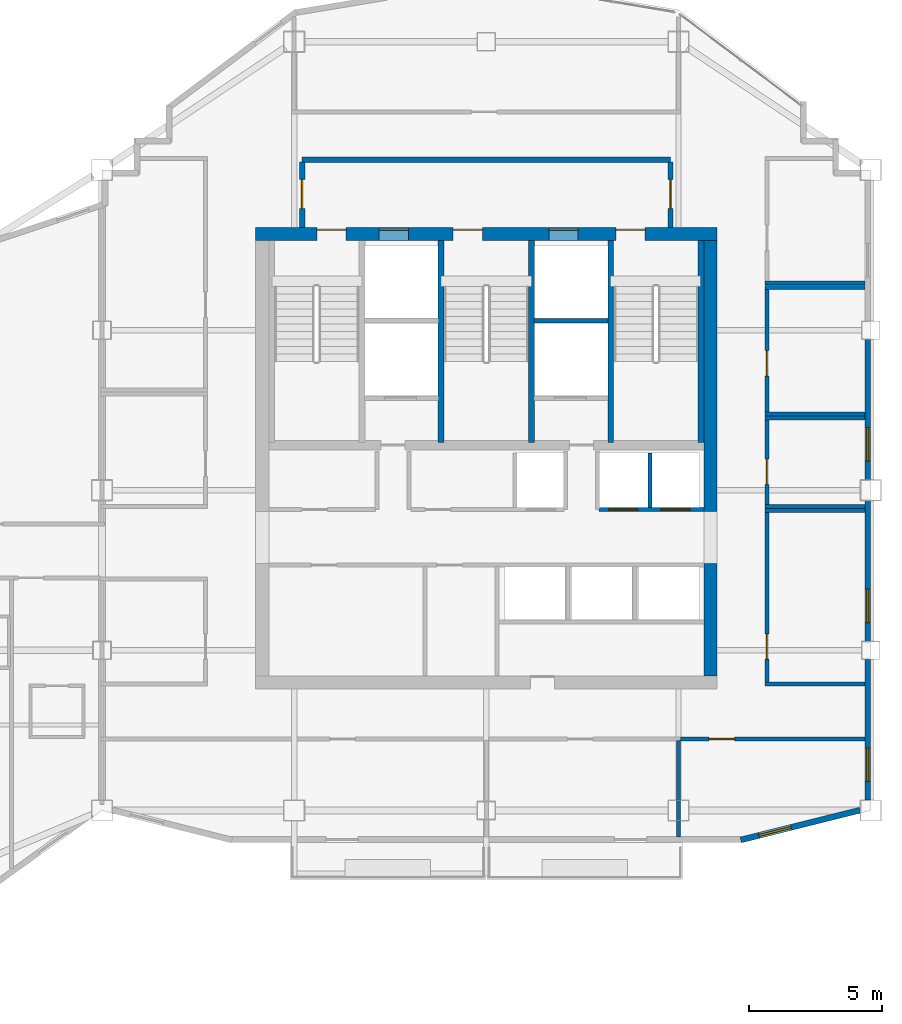
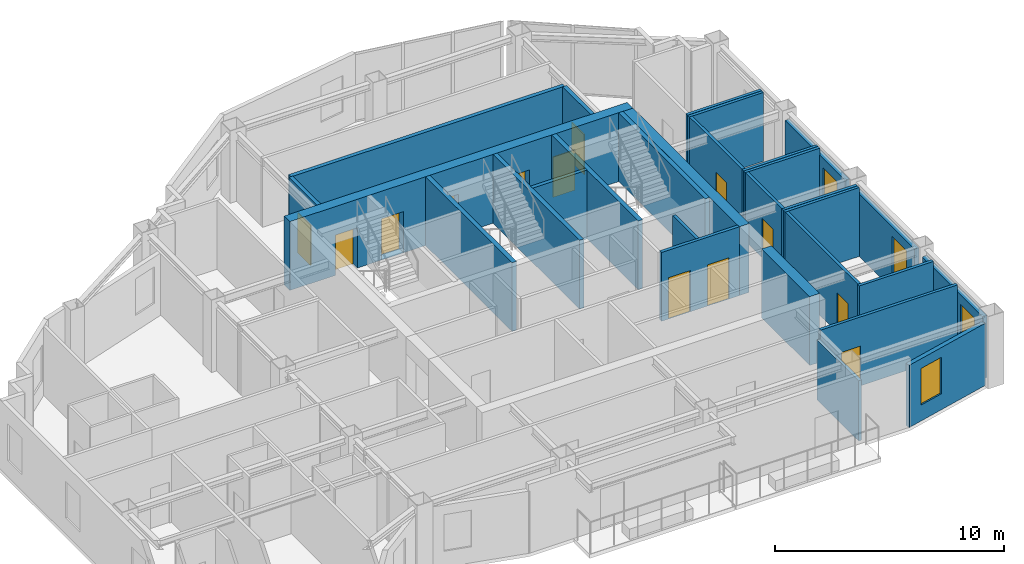
# One storey, part 7 of 9: 29 walls, 13 doors, 4 windows, 17 openings.
"""IFC4 building model written with IfcOpenShell, lengths in metres."""

from ifc_helpers import new_model, si_unit, direction, frame, frame_2d, origin, place, context, subcontext, project, spatial, rectangle, extrude, material, layer, layer_set, type_object, element, fill, save


model = new_model("IFC4")

# Units and contexts
model_context = context("Model", 3, precision=1e-05, world=origin(), true_north=direction((0.0, 1.0)))
body_context = subcontext(model_context, "Body", "Model", "MODEL_VIEW")
ifc_project = project(units=[si_unit("LENGTHUNIT", "METRE"), si_unit("AREAUNIT", "SQUARE_METRE"), si_unit("VOLUMEUNIT", "CUBIC_METRE"), si_unit("PLANEANGLEUNIT", "RADIAN"), si_unit("MASSUNIT", "GRAM", prefix="KILO")], contexts=[model_context])

# Site, building, storey
site_placement = place(None, origin())
site = spatial("IfcSite", under=ifc_project, at=site_placement, CompositionType="ELEMENT")
building_placement = place(site_placement, origin())
building = spatial("IfcBuilding", under=site, at=building_placement, Name="Haolan Belvedere Tower", CompositionType="ELEMENT")
storey_placement = place(building_placement, frame((0.0, 0.0, 262.14990234375)))
storey = spatial("IfcBuildingStorey", under=building, at=storey_placement, Name="L66", CompositionType="ELEMENT", Elevation=262.14990234375)

# Wall, openings, doors
ifc_material_1 = material(Name="Concrete C50/60", Category="concrete")
ifc_layer_1 = layer(ifc_material_1, 0.5, Name="Concrete C50/60")
ifc_layer_set_1 = layer_set([ifc_layer_1], Name="Concrete C50/60")
wall_type_1 = type_object("IfcWallType", Name="WL-CORE-500", PredefinedType="SHEAR", material=ifc_layer_set_1)
wall_1_placement = place(storey_placement, frame((29.75, 43.199951171875, 0.0), z_axis=(0.0, 0.0, 1.0), x_axis=(1.0, 0.0, 0.0)))
wall_1 = element("IfcWall", 1, at=wall_1_placement, inside=storey, type_object=wall_type_1, Name="L66 central core north shear wall", PredefinedType="SHEAR", context=body_context, shape_type="SweptSolid", body=[
    extrude(rectangle(XDim=17.300048828125, YDim=0.5, at=frame_2d((8.64990234375, 0.0))), origin(), (0.0, 0.0, 1.0), 3.670166015625),
])
opening_1_placement = place(wall_1_placement, frame((2.300048828125, 0.0, 0.0)))
opening_1 = element("IfcOpeningElement", 2, at=opening_1_placement, cuts=wall_1, Name="Opening FD-03", PredefinedType="OPENING", context=body_context, shape_type="SweptSolid", body=[
    extrude(rectangle(XDim=1.10009765625, YDim=2.14990234375, at=frame_2d((0.550048828125, 1.074951171875))), frame((0.0, 0.260009765625, 0.0), z_axis=(0.0, -1.0, 0.0), x_axis=(1.0, 0.0, 0.0)), (0.0, 0.0, 1.0), 0.52001953125),
])
opening_2_placement = place(wall_1_placement, frame((7.409912109375, 0.0, 0.0)))
opening_2 = element("IfcOpeningElement", 3, at=opening_2_placement, cuts=wall_1, Name="Opening FD-03", PredefinedType="OPENING", context=body_context, shape_type="SweptSolid", body=[
    extrude(rectangle(XDim=1.10009765625, YDim=2.14990234375, at=frame_2d((0.550048828125, 1.074951171875))), frame((0.0, 0.260009765625, 0.0), z_axis=(0.0, -1.0, 0.0), x_axis=(1.0, 0.0, 0.0)), (0.0, 0.0, 1.0), 0.52001953125),
])
opening_3_placement = place(wall_1_placement, frame((13.5, 0.0, 0.0)))
opening_3 = element("IfcOpeningElement", 4, at=opening_3_placement, cuts=wall_1, Name="Opening FD-03", PredefinedType="OPENING", context=body_context, shape_type="SweptSolid", body=[
    extrude(rectangle(XDim=1.10009765625, YDim=2.14990234375, at=frame_2d((0.550048828125, 1.074951171875))), frame((0.0, 0.260009765625, 0.0), z_axis=(0.0, -1.0, 0.0), x_axis=(1.0, 0.0, 0.0)), (0.0, 0.0, 1.0), 0.52001953125),
])
opening_4_placement = place(wall_1_placement, frame((4.6298828125, 0.0, 0.0)))
opening_4 = element("IfcOpeningElement", 5, at=opening_4_placement, cuts=wall_1, Name="Opening LD-01", PredefinedType="OPENING", context=body_context, shape_type="SweptSolid", body=[
    extrude(rectangle(XDim=1.10009765625, YDim=2.199951171875, at=frame_2d((0.550048828125, 1.10009765625))), frame((0.0, 0.260009765625, 0.0), z_axis=(0.0, -1.0, 0.0), x_axis=(1.0, 0.0, 0.0)), (0.0, 0.0, 1.0), 0.52001953125),
])
opening_5_placement = place(wall_1_placement, frame((10.989990234375, 0.0, 0.0)))
opening_5 = element("IfcOpeningElement", 6, at=opening_5_placement, cuts=wall_1, Name="Opening LD-01", PredefinedType="OPENING", context=body_context, shape_type="SweptSolid", body=[
    extrude(rectangle(XDim=1.10009765625, YDim=2.199951171875, at=frame_2d((0.550048828125, 1.10009765625))), frame((0.0, 0.260009765625, 0.0), z_axis=(0.0, -1.0, 0.0), x_axis=(1.0, 0.0, 0.0)), (0.0, 0.0, 1.0), 0.52001953125),
])
ifc_material_2 = material(Name="Galvanised fire-rated steel", Category="steel")
door_type_1 = type_object("IfcDoorType", Name="DR-FD90-1100", OperationType="NOTDEFINED", PredefinedType="DOOR", material=ifc_material_2)
door_1_placement = place(opening_1_placement, origin())
door_1 = element("IfcDoor", 7, at=door_1_placement, inside=storey, type_object=door_type_1, Name="L66 door CD-L66-ST1", OperationType="SINGLE_SWING_LEFT", OverallHeight=2.14990234375, OverallWidth=1.10009765625, PredefinedType="DOOR", context=body_context, shape_type="SweptSolid", body=[
    extrude(rectangle(XDim=1.10009765625, YDim=2.14990234375, at=frame_2d((0.550048828125, 1.074951171875))), frame((0.0, 0.18505859375, 0.0), z_axis=(0.0, -1.0, 0.0), x_axis=(1.0, 0.0, 0.0)), (0.0, 0.0, 1.0), 0.050048828125),
])
fill(opening_1, door_1)
door_2_placement = place(opening_2_placement, origin())
door_2 = element("IfcDoor", 8, at=door_2_placement, inside=storey, type_object=door_type_1, Name="L66 door CD-L66-ST3", OperationType="SINGLE_SWING_LEFT", OverallHeight=2.14990234375, OverallWidth=1.10009765625, PredefinedType="DOOR", context=body_context, shape_type="SweptSolid", body=[
    extrude(rectangle(XDim=1.10009765625, YDim=2.14990234375, at=frame_2d((0.550048828125, 1.074951171875))), frame((0.0, 0.18505859375, 0.0), z_axis=(0.0, -1.0, 0.0), x_axis=(1.0, 0.0, 0.0)), (0.0, 0.0, 1.0), 0.050048828125),
])
fill(opening_2, door_2)
door_3_placement = place(opening_3_placement, origin())
door_3 = element("IfcDoor", 9, at=door_3_placement, inside=storey, type_object=door_type_1, Name="L66 door CD-L66-ST2", OperationType="SINGLE_SWING_RIGHT", OverallHeight=2.14990234375, OverallWidth=1.10009765625, PredefinedType="DOOR", context=body_context, shape_type="SweptSolid", body=[
    extrude(rectangle(XDim=1.10009765625, YDim=2.14990234375, at=frame_2d((0.550048828125, 1.074951171875))), frame((0.0, 0.18505859375, 0.0), z_axis=(0.0, -1.0, 0.0), x_axis=(1.0, 0.0, 0.0)), (0.0, 0.0, 1.0), 0.050048828125),
])
fill(opening_3, door_3)
ifc_material_3 = material(Name="Brushed champagne stainless steel 316L", Category="steel")
door_type_2 = type_object("IfcDoorType", Name="DR-LIFT-1100", OperationType="SLIDING_TO_LEFT", PredefinedType="DOOR", material=ifc_material_3)
door_4_placement = place(opening_4_placement, origin())
door_4 = element("IfcDoor", 10, at=door_4_placement, inside=storey, type_object=door_type_2, Name="L66 door LD-L66-FF1", OperationType="SLIDING_TO_LEFT", OverallHeight=2.199951171875, OverallWidth=1.10009765625, PredefinedType="DOOR", context=body_context, shape_type="SweptSolid", body=[
    extrude(rectangle(XDim=1.10009765625, YDim=2.199951171875, at=frame_2d((0.550048828125, 1.10009765625))), frame((0.0, 0.18505859375, 0.0), z_axis=(0.0, -1.0, 0.0), x_axis=(1.0, 0.0, 0.0)), (0.0, 0.0, 1.0), 0.050048828125),
])
fill(opening_4, door_4)
door_5_placement = place(opening_5_placement, origin())
door_5 = element("IfcDoor", 11, at=door_5_placement, inside=storey, type_object=door_type_2, Name="L66 door LD-L66-FF2", OperationType="SLIDING_TO_LEFT", OverallHeight=2.199951171875, OverallWidth=1.10009765625, PredefinedType="DOOR", context=body_context, shape_type="SweptSolid", body=[
    extrude(rectangle(XDim=1.10009765625, YDim=2.199951171875, at=frame_2d((0.550048828125, 1.10009765625))), frame((0.0, 0.18505859375, 0.0), z_axis=(0.0, -1.0, 0.0), x_axis=(1.0, 0.0, 0.0)), (0.0, 0.0, 1.0), 0.050048828125),
])
fill(opening_5, door_5)

# Walls
wall_2_placement = place(storey_placement, frame((46.800048828125, 26.64990234375, 0.0), z_axis=(0.0, 0.0, 1.0), x_axis=(0.0, 1.0, 0.0)))
element("IfcWall", 12, at=wall_2_placement, inside=storey, type_object=wall_type_1, Name="L66 central core shear wall ES", PredefinedType="SHEAR", context=body_context, shape_type="SweptSolid", body=[
    extrude(rectangle(XDim=4.2001953125, YDim=0.5, at=frame_2d((2.10009765625, 0.0))), origin(), (0.0, 0.0, 1.0), 3.670166015625),
])
wall_3_placement = place(storey_placement, frame((46.800048828125, 32.800048828125, 0.0), z_axis=(0.0, 0.0, 1.0), x_axis=(0.0, 1.0, 0.0)))
element("IfcWall", 13, at=wall_3_placement, inside=storey, type_object=wall_type_1, Name="L66 central core shear wall EN", PredefinedType="SHEAR", context=body_context, shape_type="SweptSolid", body=[
    extrude(rectangle(XDim=10.14990234375, YDim=0.5, at=frame_2d((5.074951171875, 0.0))), origin(), (0.0, 0.0, 1.0), 3.670166015625),
])

# Wall, opening, window
ifc_material_4 = material(Name="Precast concrete C40/50", Category="concrete")
ifc_layer_2 = layer(ifc_material_4, 0.219970703125, Name="Precast concrete C40/50")
ifc_layer_set_2 = layer_set([ifc_layer_2], Name="Precast concrete C40/50")
wall_type_2 = type_object("IfcWallType", Name="WL-EXT-220", PredefinedType="SOLIDWALL", material=ifc_layer_set_2)
wall_4_placement = place(storey_placement, frame((47.93310546875, 20.49658203125, 0.0), z_axis=(0.0, 0.0, 1.0), x_axis=(0.970133159038, 0.242572986408, 0.0)))
wall_4 = element("IfcWall", 14, at=wall_4_placement, inside=storey, type_object=wall_type_2, Name="L66 pale-metal exterior spandrel wall 2.1", PredefinedType="SOLIDWALL", context=body_context, shape_type="SweptSolid", body=[
    extrude(rectangle(XDim=4.612548828125, YDim=0.219970703125, at=frame_2d((2.30615234375, 0.0))), origin(), (0.0, 0.0, 1.0), 3.315185546875),
])
opening_6_placement = place(wall_4_placement, frame((0.699951171875, 0.0, 0.85009765625)))
opening_6 = element("IfcOpeningElement", 15, at=opening_6_placement, cuts=wall_4, Name="Opening W-04", PredefinedType="OPENING", context=body_context, shape_type="SweptSolid", body=[
    extrude(rectangle(XDim=1.25, YDim=1.949951171875, at=frame_2d((0.625, 0.97509765625))), frame((0.0, 0.119873046875, 0.0), z_axis=(0.0, -1.0, 0.0), x_axis=(1.0, 0.0, 0.0)), (0.0, 0.0, 1.0), 0.239990234375),
])
ifc_material_5 = material(Name="Anodised aluminium 6063-T6 and Low-E glass", Category="aluminium")
window_type = type_object("IfcWindowType", Name="WN-DECO-Z4", PartitioningType="SINGLE_PANEL", PredefinedType="WINDOW", material=ifc_material_5)
window_1_placement = place(opening_6_placement, origin())
window_1 = element("IfcWindow", 16, at=window_1_placement, inside=storey, type_object=window_type, Name="L66 Art Deco chevron window 1", OverallHeight=1.949951171875, OverallWidth=1.25, PartitioningType="SINGLE_PANEL", PredefinedType="WINDOW", context=body_context, shape_type="SweptSolid", body=[
    extrude(rectangle(XDim=1.25, YDim=1.949951171875, at=frame_2d((0.625, 0.97509765625))), frame((0.0, 0.030029296875, 0.0), z_axis=(0.0, -1.0, 0.0), x_axis=(1.0, 0.0, 0.0)), (0.0, 0.0, 1.0), 0.06005859375),
])
fill(opening_6, window_1)

wall_5_placement = place(storey_placement, frame((52.68994140625, 21.991943359375, 0.0), z_axis=(0.0, 0.0, 1.0), x_axis=(0.0, 1.0, 0.0)))
wall_5 = element("IfcWall", 17, at=wall_5_placement, inside=storey, type_object=wall_type_2, Name="L66 pale-metal exterior spandrel wall 3.1", PredefinedType="SOLIDWALL", context=body_context, shape_type="SweptSolid", body=[
    extrude(rectangle(XDim=5.26611328125, YDim=0.219970703125, at=frame_2d((2.633056640625, 0.0))), origin(), (0.0, 0.0, 1.0), 3.315185546875),
])
opening_7_placement = place(wall_5_placement, frame((0.699951171875, 0.0, 0.85009765625)))
opening_7 = element("IfcOpeningElement", 18, at=opening_7_placement, cuts=wall_5, Name="Opening W-04", PredefinedType="OPENING", context=body_context, shape_type="SweptSolid", body=[
    extrude(rectangle(XDim=1.25, YDim=1.949951171875, at=frame_2d((0.625, 0.97509765625))), frame((0.0, 0.119873046875, 0.0), z_axis=(0.0, -1.0, 0.0), x_axis=(1.0, 0.0, 0.0)), (0.0, 0.0, 1.0), 0.239990234375),
])
window_2_placement = place(opening_7_placement, origin())
window_2 = element("IfcWindow", 19, at=window_2_placement, inside=storey, type_object=window_type, Name="L66 Art Deco chevron window 1", OverallHeight=1.949951171875, OverallWidth=1.25, PartitioningType="SINGLE_PANEL", PredefinedType="WINDOW", context=body_context, shape_type="SweptSolid", body=[
    extrude(rectangle(XDim=1.25, YDim=1.949951171875, at=frame_2d((0.625, 0.97509765625))), frame((0.0, 0.030029296875, 0.0), z_axis=(0.0, -1.0, 0.0), x_axis=(1.0, 0.0, 0.0)), (0.0, 0.0, 1.0), 0.06005859375),
])
fill(opening_7, window_2)

wall_6_placement = place(storey_placement, frame((52.68994140625, 27.94189453125, 0.0), z_axis=(0.0, 0.0, 1.0), x_axis=(0.0, 1.0, 0.0)))
wall_6 = element("IfcWall", 20, at=wall_6_placement, inside=storey, type_object=wall_type_2, Name="L66 pale-metal exterior spandrel wall 3.2", PredefinedType="SOLIDWALL", context=body_context, shape_type="SweptSolid", body=[
    extrude(rectangle(XDim=5.26611328125, YDim=0.219970703125, at=frame_2d((2.633056640625, 0.0))), origin(), (0.0, 0.0, 1.0), 3.315185546875),
])
opening_8_placement = place(wall_6_placement, frame((0.699951171875, 0.0, 0.85009765625)))
opening_8 = element("IfcOpeningElement", 21, at=opening_8_placement, cuts=wall_6, Name="Opening W-04", PredefinedType="OPENING", context=body_context, shape_type="SweptSolid", body=[
    extrude(rectangle(XDim=1.25, YDim=1.949951171875, at=frame_2d((0.625, 0.97509765625))), frame((0.0, 0.119873046875, 0.0), z_axis=(0.0, -1.0, 0.0), x_axis=(1.0, 0.0, 0.0)), (0.0, 0.0, 1.0), 0.239990234375),
])
window_3_placement = place(opening_8_placement, origin())
window_3 = element("IfcWindow", 22, at=window_3_placement, inside=storey, type_object=window_type, Name="L66 Art Deco chevron window 1", OverallHeight=1.949951171875, OverallWidth=1.25, PartitioningType="SINGLE_PANEL", PredefinedType="WINDOW", context=body_context, shape_type="SweptSolid", body=[
    extrude(rectangle(XDim=1.25, YDim=1.949951171875, at=frame_2d((0.625, 0.97509765625))), frame((0.0, 0.030029296875, 0.0), z_axis=(0.0, -1.0, 0.0), x_axis=(1.0, 0.0, 0.0)), (0.0, 0.0, 1.0), 0.06005859375),
])
fill(opening_8, window_3)

wall_7_placement = place(storey_placement, frame((52.68994140625, 33.991943359375, 0.0), z_axis=(0.0, 0.0, 1.0), x_axis=(0.0, 1.0, 0.0)))
wall_7 = element("IfcWall", 23, at=wall_7_placement, inside=storey, type_object=wall_type_2, Name="L66 pale-metal exterior spandrel wall 3.3", PredefinedType="SOLIDWALL", context=body_context, shape_type="SweptSolid", body=[
    extrude(rectangle(XDim=5.26611328125, YDim=0.219970703125, at=frame_2d((2.633056640625, 0.0))), origin(), (0.0, 0.0, 1.0), 3.315185546875),
])
opening_9_placement = place(wall_7_placement, frame((0.699951171875, 0.0, 0.85009765625)))
opening_9 = element("IfcOpeningElement", 24, at=opening_9_placement, cuts=wall_7, Name="Opening W-04", PredefinedType="OPENING", context=body_context, shape_type="SweptSolid", body=[
    extrude(rectangle(XDim=1.25, YDim=1.949951171875, at=frame_2d((0.625, 0.97509765625))), frame((0.0, 0.119873046875, 0.0), z_axis=(0.0, -1.0, 0.0), x_axis=(1.0, 0.0, 0.0)), (0.0, 0.0, 1.0), 0.239990234375),
])
window_4_placement = place(opening_9_placement, origin())
window_4 = element("IfcWindow", 25, at=window_4_placement, inside=storey, type_object=window_type, Name="L66 Art Deco chevron window 1", OverallHeight=1.949951171875, OverallWidth=1.25, PartitioningType="SINGLE_PANEL", PredefinedType="WINDOW", context=body_context, shape_type="SweptSolid", body=[
    extrude(rectangle(XDim=1.25, YDim=1.949951171875, at=frame_2d((0.625, 0.97509765625))), frame((0.0, 0.030029296875, 0.0), z_axis=(0.0, -1.0, 0.0), x_axis=(1.0, 0.0, 0.0)), (0.0, 0.0, 1.0), 0.06005859375),
])
fill(opening_9, window_4)

# Wall
ifc_material_6 = material(Name="Concrete C40/50", Category="concrete")
ifc_layer_3 = layer(ifc_material_6, 0.199951171875, Name="Concrete C40/50")
ifc_layer_set_3 = layer_set([ifc_layer_3], Name="Concrete C40/50")
wall_type_3 = type_object("IfcWallType", Name="WL-FIRE-200", PredefinedType="SOLIDWALL", material=ifc_layer_set_3)
wall_8_placement = place(storey_placement, frame((31.5, 45.97998046875, 0.0), z_axis=(0.0, 0.0, 1.0), x_axis=(1.0, 0.0, 0.0)))
element("IfcWall", 26, at=wall_8_placement, inside=storey, type_object=wall_type_3, Name="L66 interior partition IW-L66-FFL-N", PredefinedType="SOLIDWALL", context=body_context, shape_type="SweptSolid", body=[
    extrude(rectangle(XDim=13.800048828125, YDim=0.199951171875, at=frame_2d((6.89990234375, 0.0))), origin(), (0.0, 0.0, 1.0), 3.670166015625),
])

# Wall, opening, door
wall_9_placement = place(storey_placement, frame((31.5, 43.449951171875, 0.0), z_axis=(0.0, 0.0, 1.0), x_axis=(0.0, 1.0, 0.0)))
wall_9 = element("IfcWall", 27, at=wall_9_placement, inside=storey, type_object=wall_type_3, Name="L66 interior partition IW-L66-FFL-W", PredefinedType="SOLIDWALL", context=body_context, shape_type="SweptSolid", body=[
    extrude(rectangle(XDim=2.445068359375, YDim=0.199951171875, at=frame_2d((1.22265625, 0.0))), origin(), (0.0, 0.0, 1.0), 3.670166015625),
])
opening_10_placement = place(wall_9_placement, frame((1.800048828125, 0.0, 0.0), z_axis=(0.0, 0.0, 1.0), x_axis=(-1.0, 0.0, 0.0)))
opening_10 = element("IfcOpeningElement", 28, at=opening_10_placement, cuts=wall_9, Name="Opening FD-03", PredefinedType="OPENING", context=body_context, shape_type="SweptSolid", body=[
    extrude(rectangle(XDim=1.10009765625, YDim=2.14990234375, at=frame_2d((0.550048828125, 1.074951171875))), frame((0.0, 0.10986328125, 0.0), z_axis=(0.0, -1.0, 0.0), x_axis=(1.0, 0.0, 0.0)), (0.0, 0.0, 1.0), 0.219970703125),
])
door_6_placement = place(opening_10_placement, origin())
door_6 = element("IfcDoor", 29, at=door_6_placement, inside=storey, type_object=door_type_1, Name="L66 door ID-L66-FFL-DW", OperationType="SINGLE_SWING_LEFT", OverallHeight=2.14990234375, OverallWidth=1.10009765625, PredefinedType="DOOR", context=body_context, shape_type="SweptSolid", body=[
    extrude(rectangle(XDim=1.10009765625, YDim=2.14990234375, at=frame_2d((0.550048828125, 1.074951171875))), frame((0.0, 0.02490234375, 0.0), z_axis=(0.0, -1.0, 0.0), x_axis=(1.0, 0.0, 0.0)), (0.0, 0.0, 1.0), 0.050048828125),
])
fill(opening_10, door_6)

wall_10_placement = place(storey_placement, frame((45.300048828125, 43.449951171875, 0.0), z_axis=(0.0, 0.0, 1.0), x_axis=(0.0, 1.0, 0.0)))
wall_10 = element("IfcWall", 30, at=wall_10_placement, inside=storey, type_object=wall_type_3, Name="L66 interior partition IW-L66-FFL-E", PredefinedType="SOLIDWALL", context=body_context, shape_type="SweptSolid", body=[
    extrude(rectangle(XDim=2.445068359375, YDim=0.199951171875, at=frame_2d((1.22265625, 0.0))), origin(), (0.0, 0.0, 1.0), 3.670166015625),
])
opening_11_placement = place(wall_10_placement, frame((0.699951171875, 0.0, 0.0)))
opening_11 = element("IfcOpeningElement", 31, at=opening_11_placement, cuts=wall_10, Name="Opening FD-03", PredefinedType="OPENING", context=body_context, shape_type="SweptSolid", body=[
    extrude(rectangle(XDim=1.10009765625, YDim=2.14990234375, at=frame_2d((0.550048828125, 1.074951171875))), frame((0.0, 0.10986328125, 0.0), z_axis=(0.0, -1.0, 0.0), x_axis=(1.0, 0.0, 0.0)), (0.0, 0.0, 1.0), 0.219970703125),
])
door_7_placement = place(opening_11_placement, origin())
door_7 = element("IfcDoor", 32, at=door_7_placement, inside=storey, type_object=door_type_1, Name="L66 door ID-L66-FFL-DE", OperationType="SINGLE_SWING_RIGHT", OverallHeight=2.14990234375, OverallWidth=1.10009765625, PredefinedType="DOOR", context=body_context, shape_type="SweptSolid", body=[
    extrude(rectangle(XDim=1.10009765625, YDim=2.14990234375, at=frame_2d((0.550048828125, 1.074951171875))), frame((0.0, 0.02490234375, 0.0), z_axis=(0.0, -1.0, 0.0), x_axis=(1.0, 0.0, 0.0)), (0.0, 0.0, 1.0), 0.050048828125),
])
fill(opening_11, door_7)

# Walls
ifc_material_7 = material(Name="Double gypsum acoustic stud partition", Category="masonry")
ifc_layer_4 = layer(ifc_material_7, 0.14990234375, Name="Double gypsum acoustic stud partition")
ifc_layer_set_4 = layer_set([ifc_layer_4], Name="Double gypsum acoustic stud partition")
wall_type_4 = type_object("IfcWallType", Name="WL-PART-150", PredefinedType="PARTITIONING", material=ifc_layer_set_4)
for number, where, z_axis, x_axis, name in (
    (33, (48.840087890625, 36.300048828125, 0.0), (0.0, 0.0, 1.0), (1.0, 0.0, 0.0), "L66 interior partition IW-L66-AWC-N"),
    (34, (48.840087890625, 33.0, 0.0), (0.0, 0.0, 1.0), (1.0, 0.0, 0.0), "L66 interior partition IW-L66-AWC-S"),
):
    element("IfcWall", number, at=place(storey_placement, frame(where, z_axis=z_axis, x_axis=x_axis)), inside=storey, type_object=wall_type_4, Name=name, PredefinedType="PARTITIONING", context=body_context, shape_type="SweptSolid", body=[
        extrude(rectangle(XDim=3.747802734375, YDim=0.14990234375, at=frame_2d((1.8740234375, 0.0))), origin(), (0.0, 0.0, 1.0), 3.670166015625),
    ])

# Wall, opening, door
wall_11_placement = place(storey_placement, frame((48.919921875, 33.06005859375, 0.0), z_axis=(0.0, 0.0, 1.0), x_axis=(0.0, 1.0, 0.0)))
wall_11 = element("IfcWall", 35, at=wall_11_placement, inside=storey, type_object=wall_type_4, Name="L66 interior partition IW-L66-AWC-W", PredefinedType="PARTITIONING", context=body_context, shape_type="SweptSolid", body=[
    extrude(rectangle(XDim=3.179931640625, YDim=0.14990234375, at=frame_2d((1.58984375, 0.0))), origin(), (0.0, 0.0, 1.0), 3.670166015625),
])
opening_12_placement = place(wall_11_placement, frame((0.760009765625, 0.0, 0.0)))
opening_12 = element("IfcOpeningElement", 36, at=opening_12_placement, cuts=wall_11, Name="Opening ID-03", PredefinedType="OPENING", context=body_context, shape_type="SweptSolid", body=[
    extrude(rectangle(XDim=0.949951171875, YDim=2.1201171875, at=frame_2d((0.47509765625, 1.06005859375))), frame((0.0, 0.0849609375, 0.0), z_axis=(0.0, -1.0, 0.0), x_axis=(1.0, 0.0, 0.0)), (0.0, 0.0, 1.0), 0.169921875),
])
ifc_material_8 = material(Name="Painted solid-core timber", Category="wood")
door_type_3 = type_object("IfcDoorType", Name="DR-INT-950", OperationType="NOTDEFINED", PredefinedType="DOOR", material=ifc_material_8)
door_8_placement = place(opening_12_placement, origin())
door_8 = element("IfcDoor", 37, at=door_8_placement, inside=storey, type_object=door_type_3, Name="L66 door ID-L66-AWC", OperationType="SINGLE_SWING_LEFT", OverallHeight=2.1201171875, OverallWidth=0.949951171875, PredefinedType="DOOR", context=body_context, shape_type="SweptSolid", body=[
    extrude(rectangle(XDim=0.949951171875, YDim=2.1201171875, at=frame_2d((0.47509765625, 1.06005859375))), frame((0.0, 0.02490234375, 0.0), z_axis=(0.0, -1.0, 0.0), x_axis=(1.0, 0.0, 0.0)), (0.0, 0.0, 1.0), 0.050048828125),
])
fill(opening_12, door_8)

# Walls
for number, where, z_axis, x_axis, name in (
    (38, (48.840087890625, 41.199951171875, 0.0), (0.0, 0.0, 1.0), (1.0, 0.0, 0.0), "L66 interior partition IW-L66-STY-N"),
    (39, (48.840087890625, 36.4599609375, 0.0), (0.0, 0.0, 1.0), (1.0, 0.0, 0.0), "L66 interior partition IW-L66-STY-S"),
):
    element("IfcWall", number, at=place(storey_placement, frame(where, z_axis=z_axis, x_axis=x_axis)), inside=storey, type_object=wall_type_4, Name=name, PredefinedType="PARTITIONING", context=body_context, shape_type="SweptSolid", body=[
        extrude(rectangle(XDim=3.747802734375, YDim=0.14990234375, at=frame_2d((1.8740234375, 0.0))), origin(), (0.0, 0.0, 1.0), 3.670166015625),
    ])

# Wall, opening, door
wall_12_placement = place(storey_placement, frame((48.919921875, 36.52001953125, 0.0), z_axis=(0.0, 0.0, 1.0), x_axis=(0.0, 1.0, 0.0)))
wall_12 = element("IfcWall", 40, at=wall_12_placement, inside=storey, type_object=wall_type_4, Name="L66 interior partition IW-L66-STY-W", PredefinedType="PARTITIONING", context=body_context, shape_type="SweptSolid", body=[
    extrude(rectangle(XDim=4.619873046875, YDim=0.14990234375, at=frame_2d((2.31005859375, 0.0))), origin(), (0.0, 0.0, 1.0), 3.670166015625),
])
opening_13_placement = place(wall_12_placement, frame((1.360107421875, 0.0, 0.0)))
opening_13 = element("IfcOpeningElement", 41, at=opening_13_placement, cuts=wall_12, Name="Opening ID-03", PredefinedType="OPENING", context=body_context, shape_type="SweptSolid", body=[
    extrude(rectangle(XDim=0.949951171875, YDim=2.1201171875, at=frame_2d((0.47509765625, 1.06005859375))), frame((0.0, 0.0849609375, 0.0), z_axis=(0.0, -1.0, 0.0), x_axis=(1.0, 0.0, 0.0)), (0.0, 0.0, 1.0), 0.169921875),
])
door_9_placement = place(opening_13_placement, origin())
door_9 = element("IfcDoor", 42, at=door_9_placement, inside=storey, type_object=door_type_3, Name="L66 door ID-L66-STY", OperationType="SINGLE_SWING_RIGHT", OverallHeight=2.1201171875, OverallWidth=0.949951171875, PredefinedType="DOOR", context=body_context, shape_type="SweptSolid", body=[
    extrude(rectangle(XDim=0.949951171875, YDim=2.1201171875, at=frame_2d((0.47509765625, 1.06005859375))), frame((0.0, 0.02490234375, 0.0), z_axis=(0.0, -1.0, 0.0), x_axis=(1.0, 0.0, 0.0)), (0.0, 0.0, 1.0), 0.050048828125),
])
fill(opening_13, door_9)

# Walls
for number, where, z_axis, x_axis, name in (
    (43, (48.840087890625, 41.360107421875, 0.0), (0.0, 0.0, 1.0), (1.0, 0.0, 0.0), "L66 interior partition IW-L66-PNT-S"),
    (44, (48.840087890625, 32.840087890625, 0.0), (0.0, 0.0, 1.0), (1.0, 0.0, 0.0), "L66 interior partition IW-L66-PKTE-N"),
    (45, (48.840087890625, 26.35009765625, 0.0), (0.0, 0.0, 1.0), (1.0, 0.0, 0.0), "L66 interior partition IW-L66-PKTE-S"),
):
    element("IfcWall", number, at=place(storey_placement, frame(where, z_axis=z_axis, x_axis=x_axis)), inside=storey, type_object=wall_type_4, Name=name, PredefinedType="PARTITIONING", context=body_context, shape_type="SweptSolid", body=[
        extrude(rectangle(XDim=3.747802734375, YDim=0.14990234375, at=frame_2d((1.8740234375, 0.0))), origin(), (0.0, 0.0, 1.0), 3.670166015625),
    ])

# Wall, opening, door
wall_13_placement = place(storey_placement, frame((48.919921875, 26.409912109375, 0.0), z_axis=(0.0, 0.0, 1.0), x_axis=(0.0, 1.0, 0.0)))
wall_13 = element("IfcWall", 46, at=wall_13_placement, inside=storey, type_object=wall_type_4, Name="L66 interior partition IW-L66-PKTE-W", PredefinedType="PARTITIONING", context=body_context, shape_type="SweptSolid", body=[
    extrude(rectangle(XDim=6.3701171875, YDim=0.14990234375, at=frame_2d((3.18505859375, 0.0))), origin(), (0.0, 0.0, 1.0), 3.670166015625),
])
opening_14_placement = place(wall_13_placement, frame((0.860107421875, 0.0, 0.0)))
opening_14 = element("IfcOpeningElement", 47, at=opening_14_placement, cuts=wall_13, Name="Opening ID-03", PredefinedType="OPENING", context=body_context, shape_type="SweptSolid", body=[
    extrude(rectangle(XDim=0.949951171875, YDim=2.1201171875, at=frame_2d((0.47509765625, 1.06005859375))), frame((0.0, 0.0849609375, 0.0), z_axis=(0.0, -1.0, 0.0), x_axis=(1.0, 0.0, 0.0)), (0.0, 0.0, 1.0), 0.169921875),
])
door_10_placement = place(opening_14_placement, origin())
door_10 = element("IfcDoor", 48, at=door_10_placement, inside=storey, type_object=door_type_3, Name="L66 door ID-L66-PKTE", OperationType="SINGLE_SWING_RIGHT", OverallHeight=2.1201171875, OverallWidth=0.949951171875, PredefinedType="DOOR", context=body_context, shape_type="SweptSolid", body=[
    extrude(rectangle(XDim=0.949951171875, YDim=2.1201171875, at=frame_2d((0.47509765625, 1.06005859375))), frame((0.0, 0.02490234375, 0.0), z_axis=(0.0, -1.0, 0.0), x_axis=(1.0, 0.0, 0.0)), (0.0, 0.0, 1.0), 0.050048828125),
])
fill(opening_14, door_10)

# Wall
wall_14_placement = place(storey_placement, frame((45.60009765625, 20.612060546875, 0.0), z_axis=(0.0, 0.0, 1.0), x_axis=(0.0, 1.0, 0.0)))
element("IfcWall", 49, at=wall_14_placement, inside=storey, type_object=wall_type_4, Name="L66 interior partition IW-L66-KS2-E", PredefinedType="PARTITIONING", context=body_context, shape_type="SweptSolid", body=[
    extrude(rectangle(XDim=3.60791015625, YDim=0.14990234375, at=frame_2d((1.803955078125, 0.0))), origin(), (0.0, 0.0, 1.0), 3.205078125),
])

# Wall, opening, door
wall_15_placement = place(storey_placement, frame((45.681884765625, 24.280029296875, 0.0), z_axis=(0.0, 0.0, 1.0), x_axis=(1.0, 0.0, 0.0)))
wall_15 = element("IfcWall", 50, at=wall_15_placement, inside=storey, type_object=wall_type_4, Name="L66 interior partition IW-L66-KS3-N", PredefinedType="PARTITIONING", context=body_context, shape_type="SweptSolid", body=[
    extrude(rectangle(XDim=6.906005859375, YDim=0.14990234375, at=frame_2d((3.453125, 0.0))), origin(), (0.0, 0.0, 1.0), 3.670166015625),
])
opening_15_placement = place(wall_15_placement, frame((2.01806640625, 0.0, 0.0), z_axis=(0.0, 0.0, 1.0), x_axis=(-1.0, 0.0, 0.0)))
opening_15 = element("IfcOpeningElement", 51, at=opening_15_placement, cuts=wall_15, Name="Opening ID-03", PredefinedType="OPENING", context=body_context, shape_type="SweptSolid", body=[
    extrude(rectangle(XDim=0.949951171875, YDim=2.1201171875, at=frame_2d((0.47509765625, 1.06005859375))), frame((0.0, 0.0849609375, 0.0), z_axis=(0.0, -1.0, 0.0), x_axis=(1.0, 0.0, 0.0)), (0.0, 0.0, 1.0), 0.169921875),
])
door_11_placement = place(opening_15_placement, origin())
door_11 = element("IfcDoor", 52, at=door_11_placement, inside=storey, type_object=door_type_3, Name="L66 door ID-L66-KS3", OperationType="SINGLE_SWING_RIGHT", OverallHeight=2.1201171875, OverallWidth=0.949951171875, PredefinedType="DOOR", context=body_context, shape_type="SweptSolid", body=[
    extrude(rectangle(XDim=0.949951171875, YDim=2.1201171875, at=frame_2d((0.47509765625, 1.06005859375))), frame((0.0, 0.02490234375, 0.0), z_axis=(0.0, -1.0, 0.0), x_axis=(1.0, 0.0, 0.0)), (0.0, 0.0, 1.0), 0.050048828125),
])
fill(opening_15, door_11)

# Wall, openings, doors
ifc_material_9 = material(Name="Gypsum fire shaftwall assembly", Category="masonry")
ifc_layer_5 = layer(ifc_material_9, 0.1650390625, Name="Gypsum fire shaftwall assembly")
ifc_layer_set_5 = layer_set([ifc_layer_5], Name="Gypsum fire shaftwall assembly")
wall_type_5 = type_object("IfcWallType", Name="WL-SHAFT-160", PredefinedType="SOLIDWALL", material=ifc_layer_set_5)
wall_16_placement = place(storey_placement, frame((42.6298828125, 32.8798828125, 0.0), z_axis=(0.0, 0.0, 1.0), x_axis=(1.0, 0.0, 0.0)))
wall_16 = element("IfcWall", 53, at=wall_16_placement, inside=storey, type_object=wall_type_5, Name="L66 interior partition IW-L66-ROW-PN3", PredefinedType="SOLIDWALL", context=body_context, shape_type="SweptSolid", body=[
    extrude(rectangle(XDim=3.920166015625, YDim=0.159912109375, at=frame_2d((1.9599609375, 0.0))), origin(), (0.0, 0.0, 1.0), 3.670166015625),
])
opening_16_placement = place(wall_16_placement, frame((1.4501953125, 0.0, 0.0), z_axis=(0.0, 0.0, 1.0), x_axis=(-1.0, 0.0, 0.0)))
opening_16 = element("IfcOpeningElement", 54, at=opening_16_placement, cuts=wall_16, Name="Opening LD-01", PredefinedType="OPENING", context=body_context, shape_type="SweptSolid", body=[
    extrude(rectangle(XDim=1.10009765625, YDim=2.199951171875, at=frame_2d((0.550048828125, 1.10009765625))), frame((0.0, 0.08984375, 0.0), z_axis=(0.0, -1.0, 0.0), x_axis=(1.0, 0.0, 0.0)), (0.0, 0.0, 1.0), 0.179931640625),
])
opening_17_placement = place(wall_16_placement, frame((3.41015625, 0.0, 0.0), z_axis=(0.0, 0.0, 1.0), x_axis=(-1.0, 0.0, 0.0)))
opening_17 = element("IfcOpeningElement", 55, at=opening_17_placement, cuts=wall_16, Name="Opening LD-01", PredefinedType="OPENING", context=body_context, shape_type="SweptSolid", body=[
    extrude(rectangle(XDim=1.10009765625, YDim=2.199951171875, at=frame_2d((0.550048828125, 1.10009765625))), frame((0.0, 0.08984375, 0.0), z_axis=(0.0, -1.0, 0.0), x_axis=(1.0, 0.0, 0.0)), (0.0, 0.0, 1.0), 0.179931640625),
])
door_12_placement = place(opening_16_placement, origin())
door_12 = element("IfcDoor", 56, at=door_12_placement, inside=storey, type_object=door_type_2, Name="L66 door ID-L66-LD-PH2", OperationType="SLIDING_TO_RIGHT", OverallHeight=2.199951171875, OverallWidth=1.10009765625, PredefinedType="DOOR", context=body_context, shape_type="SweptSolid", body=[
    extrude(rectangle(XDim=1.10009765625, YDim=2.199951171875, at=frame_2d((0.550048828125, 1.10009765625))), frame((0.0, 0.02490234375, 0.0), z_axis=(0.0, -1.0, 0.0), x_axis=(1.0, 0.0, 0.0)), (0.0, 0.0, 1.0), 0.050048828125),
])
fill(opening_16, door_12)
door_13_placement = place(opening_17_placement, origin())
door_13 = element("IfcDoor", 57, at=door_13_placement, inside=storey, type_object=door_type_2, Name="L66 door ID-L66-LD-PH3", OperationType="SLIDING_TO_RIGHT", OverallHeight=2.199951171875, OverallWidth=1.10009765625, PredefinedType="DOOR", context=body_context, shape_type="SweptSolid", body=[
    extrude(rectangle(XDim=1.10009765625, YDim=2.199951171875, at=frame_2d((0.550048828125, 1.10009765625))), frame((0.0, 0.02490234375, 0.0), z_axis=(0.0, -1.0, 0.0), x_axis=(1.0, 0.0, 0.0)), (0.0, 0.0, 1.0), 0.050048828125),
])
fill(opening_17, door_13)

# Walls
wall_17_placement = place(storey_placement, frame((44.530029296875, 32.949951171875, 0.0), z_axis=(0.0, 0.0, 1.0), x_axis=(0.0, 1.0, 0.0)))
element("IfcWall", 58, at=wall_17_placement, inside=storey, type_object=wall_type_5, Name="L66 interior partition IW-L66-DIV-PH2", PredefinedType="SOLIDWALL", context=body_context, shape_type="SweptSolid", body=[
    extrude(rectangle(XDim=2.050048828125, YDim=0.14990234375, at=frame_2d((1.02490234375, 0.0))), origin(), (0.0, 0.0, 1.0), 3.670166015625),
])
ifc_layer_6 = layer(ifc_material_4, 0.179931640625, Name="Precast concrete C40/50")
ifc_layer_set_6 = layer_set([ifc_layer_6], Name="Precast concrete C40/50")
wall_type_6 = type_object("IfcWallType", Name="WL-SHAFT-180", PredefinedType="SOLIDWALL", material=ifc_layer_set_6)
wall_18_placement = place(storey_placement, frame((40.195068359375, 39.949951171875, 0.0), z_axis=(0.0, 0.0, 1.0), x_axis=(1.0, 0.0, 0.0)))
element("IfcWall", 59, at=wall_18_placement, inside=storey, type_object=wall_type_6, Name="L66 interior partition IW-L66-FF2-S", PredefinedType="SOLIDWALL", context=body_context, shape_type="SweptSolid", body=[
    extrude(rectangle(XDim=2.77001953125, YDim=0.179931640625, at=frame_2d((1.385009765625, 0.0))), origin(), (0.0, 0.0, 1.0), 3.670166015625),
])
ifc_layer_7 = layer(ifc_material_1, 0.219970703125, Name="Concrete C50/60")
ifc_layer_set_7 = layer_set([ifc_layer_7], Name="Concrete C50/60")
wall_type_7 = type_object("IfcWallType", Name="WL-STAIR-220", PredefinedType="SHEAR", material=ifc_layer_set_7)
for number, where, z_axis, x_axis, name in (
    (60, (36.699951171875, 35.389892578125, 0.0), (0.0, 0.0, 1.0), (0.0, 1.0, 0.0), "L66 structural stair core wall ST3W"),
    (61, (40.10009765625, 35.389892578125, 0.0), (0.0, 0.0, 1.0), (0.0, 1.0, 0.0), "L66 structural stair core wall ST3E"),
    (62, (43.06005859375, 35.389892578125, 0.0), (0.0, 0.0, 1.0), (0.0, 1.0, 0.0), "L66 structural stair core wall ST2W"),
    (63, (46.43798828125, 35.389892578125, 0.0), (0.0, 0.0, 1.0), (0.0, 1.0, 0.0), "L66 structural stair core wall ST2E"),
):
    element("IfcWall", number, at=place(storey_placement, frame(where, z_axis=z_axis, x_axis=x_axis)), inside=storey, type_object=wall_type_7, Name=name, PredefinedType="SHEAR", context=body_context, shape_type="SweptSolid", body=[
        extrude(rectangle(XDim=7.56005859375, YDim=0.219970703125, at=frame_2d((3.780029296875, 0.0))), origin(), (0.0, 0.0, 1.0), 3.670166015625),
    ])

save(model, "model.ifc")
